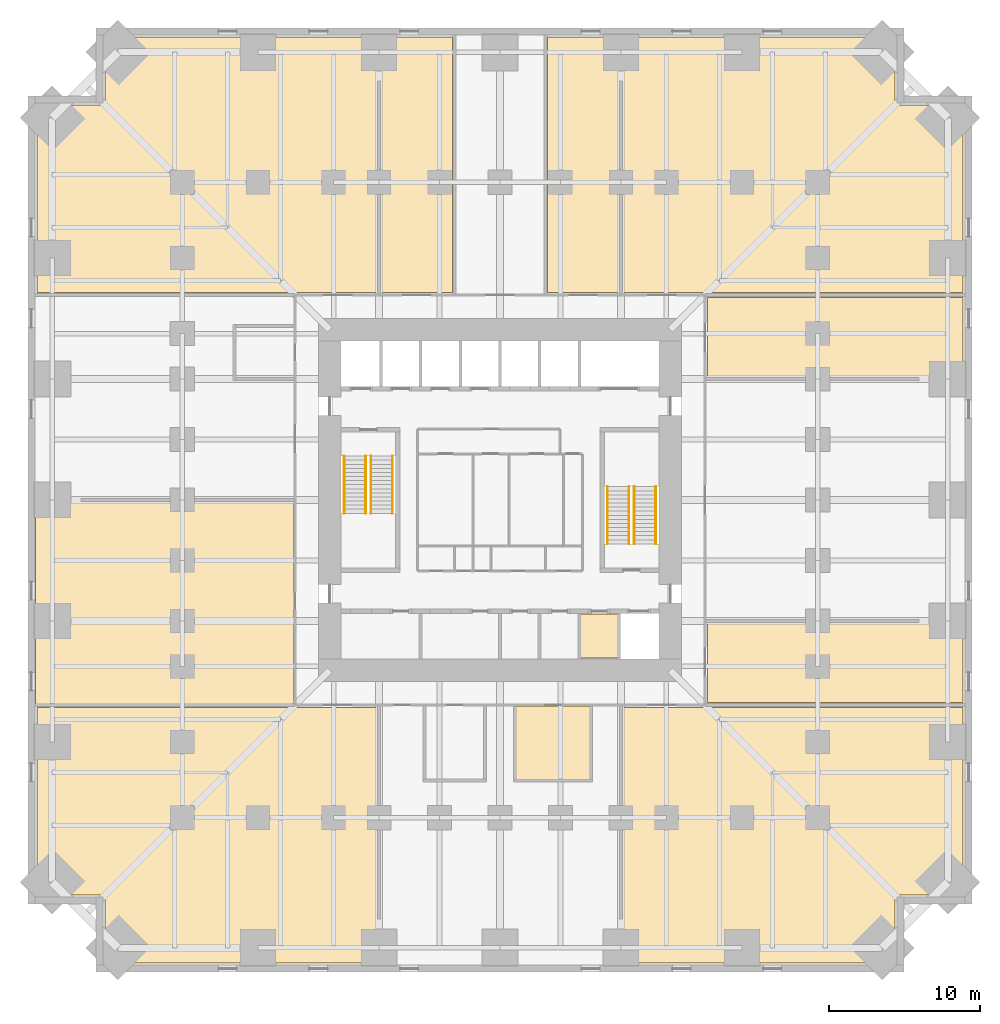
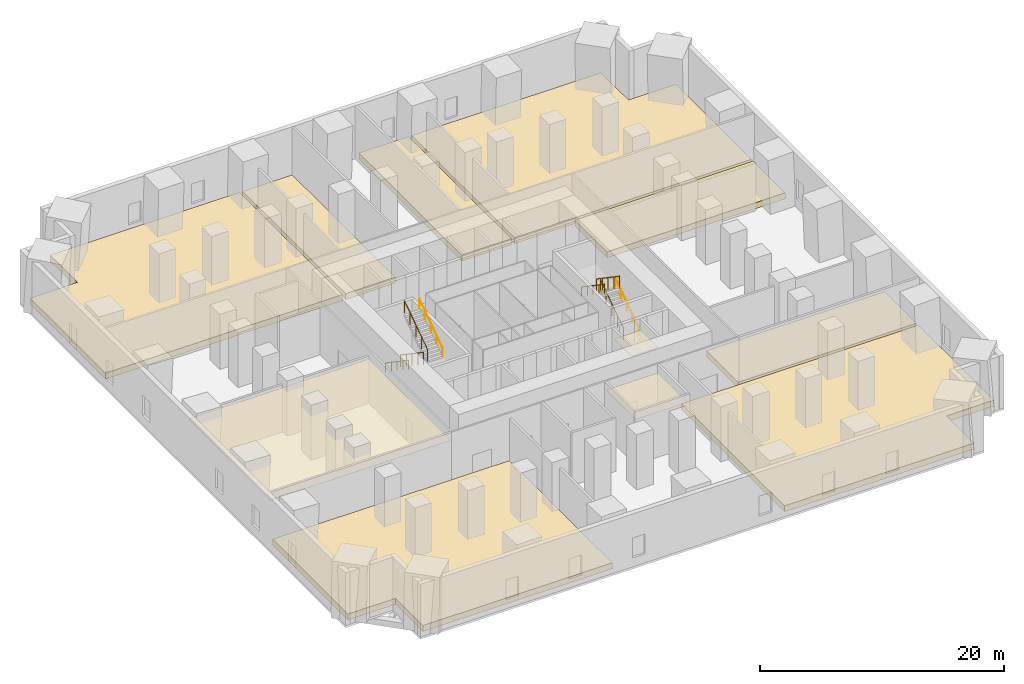
# One storey, part 8 of 8: 11 coverings, 8 railings.
"""IFC4 building model written with IfcOpenShell, lengths in metres."""

from ifc_helpers import new_model, si_unit, direction, frame, origin, origin_2d, place, context, subcontext, project, spatial, polyline, circle, outline, extrude, material, layer, layer_set, type_object, element, save


model = new_model("IFC4")

# Units and contexts
model_context = context("Model", 3, precision=1e-05, world=origin(), true_north=direction((0.0, 1.0)))
body_context = subcontext(model_context, "Body", "Model", "MODEL_VIEW")
ifc_project = project(units=[si_unit("LENGTHUNIT", "METRE"), si_unit("AREAUNIT", "SQUARE_METRE"), si_unit("VOLUMEUNIT", "CUBIC_METRE"), si_unit("PLANEANGLEUNIT", "RADIAN"), si_unit("MASSUNIT", "GRAM", prefix="KILO")], contexts=[model_context])

# Site, building, storey
site_placement = place(None, origin())
site = spatial("IfcSite", under=ifc_project, at=site_placement, CompositionType="ELEMENT")
building_placement = place(site_placement, origin())
building = spatial("IfcBuilding", under=site, at=building_placement, Name="Peilmerk Tower", CompositionType="ELEMENT")
storey_placement = place(building_placement, frame((0.0, 0.0, 32.0)))
storey = spatial("IfcBuildingStorey", under=building, at=storey_placement, Name="L06", CompositionType="ELEMENT", Elevation=32.0)

# Coverings
ifc_material_1 = material(Name="Mineral fibre ceiling tiles", Category="mineral")
ifc_layer_1 = layer(ifc_material_1, 0.02490234375)
ifc_layer_set_1 = layer_set([ifc_layer_1], Name="Mineral fibre ceiling tiles")
covering_type_1 = type_object("IfcCoveringType", Name="CL1 25 suspended ceiling", PredefinedType="CEILING", material=ifc_layer_set_1)
covering_1_placement = place(storey_placement, frame((0.0, 0.0, 4.375)))
element("IfcCovering", 1, at=covering_1_placement, inside=storey, type_object=covering_type_1, Name="Suspended ceiling Operations office", PredefinedType="CEILING", context=body_context, shape_type="SweptSolid", body=[
    extrude(outline(polyline([(5.949951171875, -18.5), (5.949951171875, -13.60009765625), (1.050048828125, -13.60009765625), (1.050048828125, -18.5), (5.949951171875, -18.5)])), origin(), (0.0, 0.0, 1.0), 0.02490234375),
])
covering_2_placement = place(storey_placement, frame((0.0, 0.0, 4.375)))
element("IfcCovering", 2, at=covering_2_placement, inside=storey, type_object=covering_type_1, Name="Suspended ceiling LV switchboard room", PredefinedType="CEILING", context=body_context, shape_type="SweptSolid", body=[
    extrude(outline(polyline([(-30.699951171875, -0.050048828125), (-30.699951171875, -13.5), (-13.60009765625, -13.5), (-13.60009765625, -0.050048828125), (-30.699951171875, -0.050048828125)])), origin(), (0.0, 0.0, 1.0), 0.02490234375),
])
covering_3_placement = place(storey_placement, frame((0.0, 0.0, 4.324951171875)))
element("IfcCovering", 3, at=covering_3_placement, inside=storey, type_object=covering_type_1, Name="Suspended ceiling Pantry", PredefinedType="CEILING", context=body_context, shape_type="SweptSolid", body=[
    extrude(outline(polyline([(7.823974609375, -10.448974609375), (7.823974609375, -7.551025390625), (5.301025390625, -7.551025390625), (5.301025390625, -10.448974609375), (7.823974609375, -10.448974609375)])), origin(), (0.0, 0.0, 1.0), 0.025146484375),
])

# Railings
ifc_material_2 = material(Name="Steel flat bar balustrade", Category="steel")
railing_type_1 = type_object("IfcRailingType", Name="GR1 1200 stair guard", PredefinedType="GUARDRAIL", material=ifc_material_2)
railing_1_placement = place(storey_placement, frame((-8.8798828125, 2.89990234375, 0.183349609375)))
element("IfcRailing", 4, at=railing_1_placement, inside=storey, type_object=railing_type_1, Name="Guard stair 1 L06", PredefinedType="GUARDRAIL", context=body_context, shape_type="SweptSolid", body=[
    extrude(circle(Radius=0.02392578125, at=origin_2d()), frame((0.0, 0.0, 1.17578125), z_axis=(0.0, -0.827293068839, 0.56177057439), x_axis=(1.0, 0.0, 0.0)), (0.0, 0.0, 1.0), 4.56884765625),
    extrude(circle(Radius=0.02099609375, at=origin_2d()), origin(), (0.0, 0.0, 1.0), 1.15185546875),
    extrude(circle(Radius=0.02099609375, at=origin_2d()), frame((0.0, -0.94482421875, 0.6416015625)), (0.0, 0.0, 1.0), 1.15185546875),
    extrude(circle(Radius=0.02099609375, at=origin_2d()), frame((0.0, -1.889892578125, 1.283203125)), (0.0, 0.0, 1.0), 1.15185546875),
    extrude(circle(Radius=0.02099609375, at=origin_2d()), frame((0.0, -2.8349609375, 1.925048828125)), (0.0, 0.0, 1.0), 1.15185546875),
    extrude(circle(Radius=0.02099609375, at=origin_2d()), frame((0.0, -3.77978515625, 2.566650390625)), (0.0, 0.0, 1.0), 1.15185546875),
])
for number, where, name in (
    (5, (-8.52001953125, -0.8798828125, 2.933349609375), "Guard stair 1 L06"),
    (6, (8.8798828125, -2.89990234375, 0.183349609375), "Guard stair 2 L06"),
):
    element("IfcRailing", number, at=place(storey_placement, frame(where)), inside=storey, type_object=railing_type_1, Name=name, PredefinedType="GUARDRAIL", context=body_context, shape_type="SweptSolid", body=[
        extrude(circle(Radius=0.02392578125, at=origin_2d()), frame((0.0, 0.0, 1.17578125), z_axis=(0.0, 0.827293068839, 0.56177057439), x_axis=(-1.0, 0.0, 0.0)), (0.0, 0.0, 1.0), 4.56884765625),
        extrude(circle(Radius=0.02099609375, at=origin_2d()), origin(), (0.0, 0.0, 1.0), 1.15185546875),
        extrude(circle(Radius=0.02099609375, at=origin_2d()), frame((0.0, 0.94482421875, 0.6416015625)), (0.0, 0.0, 1.0), 1.15185546875),
        extrude(circle(Radius=0.02099609375, at=origin_2d()), frame((0.0, 1.889892578125, 1.283203125)), (0.0, 0.0, 1.0), 1.15185546875),
        extrude(circle(Radius=0.02099609375, at=origin_2d()), frame((0.0, 2.8349609375, 1.925048828125)), (0.0, 0.0, 1.0), 1.15185546875),
        extrude(circle(Radius=0.02099609375, at=origin_2d()), frame((0.0, 3.77978515625, 2.566650390625)), (0.0, 0.0, 1.0), 1.15185546875),
    ])
railing_2_placement = place(storey_placement, frame((8.52001953125, 0.8798828125, 2.933349609375)))
element("IfcRailing", 7, at=railing_2_placement, inside=storey, type_object=railing_type_1, Name="Guard stair 2 L06", PredefinedType="GUARDRAIL", context=body_context, shape_type="SweptSolid", body=[
    extrude(circle(Radius=0.02392578125, at=origin_2d()), frame((0.0, 0.0, 1.17578125), z_axis=(0.0, -0.827293068839, 0.56177057439), x_axis=(1.0, 0.0, 0.0)), (0.0, 0.0, 1.0), 4.56884765625),
    extrude(circle(Radius=0.02099609375, at=origin_2d()), origin(), (0.0, 0.0, 1.0), 1.15185546875),
    extrude(circle(Radius=0.02099609375, at=origin_2d()), frame((0.0, -0.94482421875, 0.6416015625)), (0.0, 0.0, 1.0), 1.15185546875),
    extrude(circle(Radius=0.02099609375, at=origin_2d()), frame((0.0, -1.889892578125, 1.283203125)), (0.0, 0.0, 1.0), 1.15185546875),
    extrude(circle(Radius=0.02099609375, at=origin_2d()), frame((0.0, -2.8349609375, 1.925048828125)), (0.0, 0.0, 1.0), 1.15185546875),
    extrude(circle(Radius=0.02099609375, at=origin_2d()), frame((0.0, -3.77978515625, 2.566650390625)), (0.0, 0.0, 1.0), 1.15185546875),
])
ifc_material_3 = material(Name="Stainless steel tube", Category="steel")
railing_type_2 = type_object("IfcRailingType", Name="HR1 900 stair handrail", PredefinedType="HANDRAIL", material=ifc_material_3)
railing_3_placement = place(storey_placement, frame((-10.300048828125, 2.89990234375, 0.183349609375)))
element("IfcRailing", 8, at=railing_3_placement, inside=storey, type_object=railing_type_2, Name="Handrail stair 1 L06", PredefinedType="HANDRAIL", context=body_context, shape_type="SweptSolid", body=[
    extrude(circle(Radius=0.02392578125, at=origin_2d()), frame((0.0, 0.0, 0.8759765625), z_axis=(0.0, -0.827293068839, 0.56177057439), x_axis=(1.0, 0.0, 0.0)), (0.0, 0.0, 1.0), 4.56884765625),
    extrude(circle(Radius=0.02099609375, at=origin_2d()), origin(), (0.0, 0.0, 1.0), 0.851806640625),
    extrude(circle(Radius=0.02099609375, at=origin_2d()), frame((0.0, -0.94482421875, 0.6416015625)), (0.0, 0.0, 1.0), 0.851806640625),
    extrude(circle(Radius=0.02099609375, at=origin_2d()), frame((0.0, -1.889892578125, 1.283203125)), (0.0, 0.0, 1.0), 0.851806640625),
    extrude(circle(Radius=0.02099609375, at=origin_2d()), frame((0.0, -2.8349609375, 1.925048828125)), (0.0, 0.0, 1.0), 0.851806640625),
    extrude(circle(Radius=0.02099609375, at=origin_2d()), frame((0.0, -3.77978515625, 2.566650390625)), (0.0, 0.0, 1.0), 0.851806640625),
])
for number, where, name in (
    (9, (-7.10009765625, -0.8798828125, 2.933349609375), "Handrail stair 1 L06"),
    (10, (10.300048828125, -2.89990234375, 0.183349609375), "Handrail stair 2 L06"),
):
    element("IfcRailing", number, at=place(storey_placement, frame(where)), inside=storey, type_object=railing_type_2, Name=name, PredefinedType="HANDRAIL", context=body_context, shape_type="SweptSolid", body=[
        extrude(circle(Radius=0.02392578125, at=origin_2d()), frame((0.0, 0.0, 0.8759765625), z_axis=(0.0, 0.827293068839, 0.56177057439), x_axis=(-1.0, 0.0, 0.0)), (0.0, 0.0, 1.0), 4.56884765625),
        extrude(circle(Radius=0.02099609375, at=origin_2d()), origin(), (0.0, 0.0, 1.0), 0.851806640625),
        extrude(circle(Radius=0.02099609375, at=origin_2d()), frame((0.0, 0.94482421875, 0.6416015625)), (0.0, 0.0, 1.0), 0.851806640625),
        extrude(circle(Radius=0.02099609375, at=origin_2d()), frame((0.0, 1.889892578125, 1.283203125)), (0.0, 0.0, 1.0), 0.851806640625),
        extrude(circle(Radius=0.02099609375, at=origin_2d()), frame((0.0, 2.8349609375, 1.925048828125)), (0.0, 0.0, 1.0), 0.851806640625),
        extrude(circle(Radius=0.02099609375, at=origin_2d()), frame((0.0, 3.77978515625, 2.566650390625)), (0.0, 0.0, 1.0), 0.851806640625),
    ])
railing_4_placement = place(storey_placement, frame((7.10009765625, 0.8798828125, 2.933349609375)))
element("IfcRailing", 11, at=railing_4_placement, inside=storey, type_object=railing_type_2, Name="Handrail stair 2 L06", PredefinedType="HANDRAIL", context=body_context, shape_type="SweptSolid", body=[
    extrude(circle(Radius=0.02392578125, at=origin_2d()), frame((0.0, 0.0, 0.8759765625), z_axis=(0.0, -0.827293068839, 0.56177057439), x_axis=(1.0, 0.0, 0.0)), (0.0, 0.0, 1.0), 4.56884765625),
    extrude(circle(Radius=0.02099609375, at=origin_2d()), origin(), (0.0, 0.0, 1.0), 0.851806640625),
    extrude(circle(Radius=0.02099609375, at=origin_2d()), frame((0.0, -0.94482421875, 0.6416015625)), (0.0, 0.0, 1.0), 0.851806640625),
    extrude(circle(Radius=0.02099609375, at=origin_2d()), frame((0.0, -1.889892578125, 1.283203125)), (0.0, 0.0, 1.0), 0.851806640625),
    extrude(circle(Radius=0.02099609375, at=origin_2d()), frame((0.0, -2.8349609375, 1.925048828125)), (0.0, 0.0, 1.0), 0.851806640625),
    extrude(circle(Radius=0.02099609375, at=origin_2d()), frame((0.0, -3.77978515625, 2.566650390625)), (0.0, 0.0, 1.0), 0.851806640625),
])

# Coverings
ifc_material_4 = material(Name="Steel raised access floor panels on pedestals", Category="steel")
ifc_layer_2 = layer(ifc_material_4, 0.60009765625)
ifc_layer_set_2 = layer_set([ifc_layer_2], Name="Steel raised access floor panels on pedestals")
covering_type_2 = type_object("IfcCoveringType", Name="RF1 600 raised access floor", PredefinedType="FLOORING", material=ifc_layer_set_2)
covering_4_placement = place(storey_placement, origin())
element("IfcCovering", 12, at=covering_4_placement, inside=storey, type_object=covering_type_2, Name="Raised access floor Data suite A", PredefinedType="FLOORING", context=body_context, shape_type="SweptSolid", body=[
    extrude(outline(polyline([(-30.60009765625, 26.10009765625), (-30.60009765625, 13.699951171875), (-8.14990234375, 13.699951171875), (-8.14990234375, 30.60009765625), (-26.10009765625, 30.60009765625), (-26.10009765625, 26.10009765625), (-30.60009765625, 26.10009765625)])), origin(), (0.0, 0.0, 1.0), 0.60009765625),
])
covering_5_placement = place(storey_placement, origin())
element("IfcCovering", 13, at=covering_5_placement, inside=storey, type_object=covering_type_2, Name="Raised access floor Data suite B", PredefinedType="FLOORING", context=body_context, shape_type="SweptSolid", body=[
    extrude(outline(polyline([(-3.14990234375, 30.60009765625), (-7.85009765625, 30.60009765625), (-7.85009765625, 13.699951171875), (-3.14990234375, 13.699951171875), (-3.14990234375, 30.60009765625)])), origin(), (0.0, 0.0, 1.0), 0.60009765625),
])
covering_6_placement = place(storey_placement, origin())
element("IfcCovering", 14, at=covering_6_placement, inside=storey, type_object=covering_type_2, Name="Raised access floor Data suite C", PredefinedType="FLOORING", context=body_context, shape_type="SweptSolid", body=[
    extrude(outline(polyline([(7.85009765625, 30.60009765625), (3.14990234375, 30.60009765625), (3.14990234375, 13.699951171875), (7.85009765625, 13.699951171875), (7.85009765625, 30.60009765625)])), origin(), (0.0, 0.0, 1.0), 0.60009765625),
])
covering_7_placement = place(storey_placement, origin())
element("IfcCovering", 15, at=covering_7_placement, inside=storey, type_object=covering_type_2, Name="Raised access floor Data suite D", PredefinedType="FLOORING", context=body_context, shape_type="SweptSolid", body=[
    extrude(outline(polyline([(26.10009765625, 30.60009765625), (8.14990234375, 30.60009765625), (8.14990234375, 13.699951171875), (30.60009765625, 13.699951171875), (30.60009765625, 26.10009765625), (26.10009765625, 26.10009765625), (26.10009765625, 30.60009765625)])), origin(), (0.0, 0.0, 1.0), 0.60009765625),
])
covering_8_placement = place(storey_placement, origin())
element("IfcCovering", 16, at=covering_8_placement, inside=storey, type_object=covering_type_2, Name="Raised access floor Computer room A", PredefinedType="FLOORING", context=body_context, shape_type="SweptSolid", body=[
    extrude(outline(polyline([(-26.10009765625, -30.60009765625), (-8.14990234375, -30.60009765625), (-8.14990234375, -13.699951171875), (-30.60009765625, -13.699951171875), (-30.60009765625, -26.10009765625), (-26.10009765625, -26.10009765625), (-26.10009765625, -30.60009765625)])), origin(), (0.0, 0.0, 1.0), 0.60009765625),
])
covering_9_placement = place(storey_placement, origin())
element("IfcCovering", 17, at=covering_9_placement, inside=storey, type_object=covering_type_2, Name="Raised access floor Computer room B", PredefinedType="FLOORING", context=body_context, shape_type="SweptSolid", body=[
    extrude(outline(polyline([(8.14990234375, -30.60009765625), (26.10009765625, -30.60009765625), (26.10009765625, -26.10009765625), (30.60009765625, -26.10009765625), (30.60009765625, -13.699951171875), (8.14990234375, -13.699951171875), (8.14990234375, -30.60009765625)])), origin(), (0.0, 0.0, 1.0), 0.60009765625),
])
covering_10_placement = place(storey_placement, origin())
element("IfcCovering", 18, at=covering_10_placement, inside=storey, type_object=covering_type_2, Name="Raised access floor UPS room A", PredefinedType="FLOORING", context=body_context, shape_type="SweptSolid", body=[
    extrude(outline(polyline([(30.60009765625, -13.39990234375), (30.60009765625, -8.14990234375), (13.699951171875, -8.14990234375), (13.699951171875, -13.39990234375), (30.60009765625, -13.39990234375)])), origin(), (0.0, 0.0, 1.0), 0.60009765625),
])
covering_11_placement = place(storey_placement, origin())
element("IfcCovering", 19, at=covering_11_placement, inside=storey, type_object=covering_type_2, Name="Raised access floor UPS room B", PredefinedType="FLOORING", context=body_context, shape_type="SweptSolid", body=[
    extrude(outline(polyline([(30.60009765625, 8.14990234375), (30.60009765625, 13.39990234375), (13.699951171875, 13.39990234375), (13.699951171875, 8.14990234375), (30.60009765625, 8.14990234375)])), origin(), (0.0, 0.0, 1.0), 0.60009765625),
])

save(model, "model.ifc")
